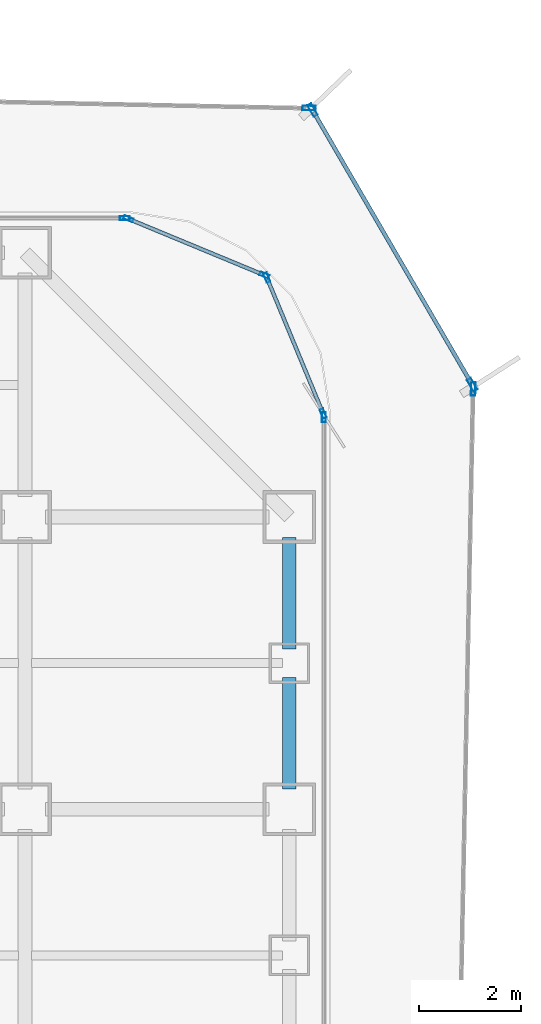
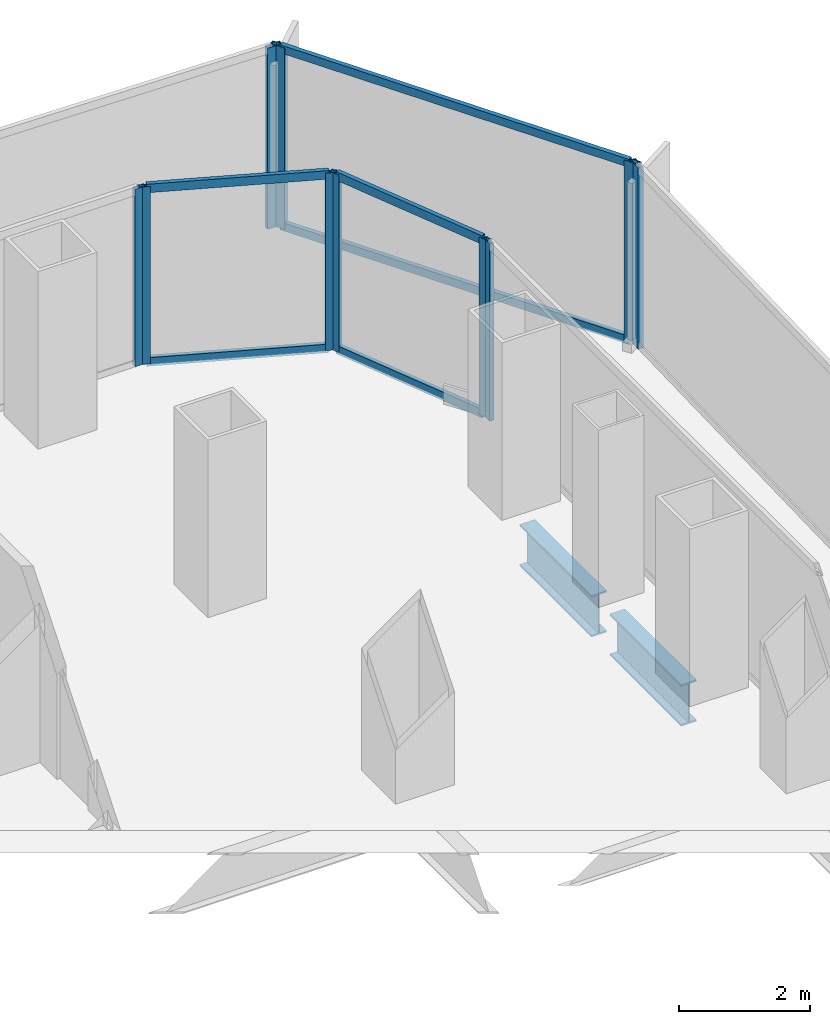
# One storey, part 15 of 21: 16 members, 2 beams, 7 elements without a shape of their own.
"""IFC4 building model written with IfcOpenShell, lengths in metres."""

from ifc_helpers import new_model, si_unit, direction, frame, origin, origin_2d, place, context, subcontext, project, spatial, hollow_rectangle, i_section, extrude, source, transform, mapped, material, layer, layer_set, material_profile, profile_set, type_object, element, aggregate, save


model = new_model("IFC4")

# Units and contexts
model_context = context("Model", 3, precision=1e-05, world=origin(), true_north=direction((0.0, 1.0)))
body_context = subcontext(model_context, "Body", "Model", "MODEL_VIEW")
ifc_project = project(units=[si_unit("LENGTHUNIT", "METRE"), si_unit("AREAUNIT", "SQUARE_METRE"), si_unit("VOLUMEUNIT", "CUBIC_METRE"), si_unit("PLANEANGLEUNIT", "RADIAN"), si_unit("MASSUNIT", "GRAM", prefix="KILO")], contexts=[model_context])

# Site, building, storey
site_placement = place(None, origin())
site = spatial("IfcSite", under=ifc_project, at=site_placement, CompositionType="ELEMENT")
building_placement = place(site_placement, origin())
building = spatial("IfcBuilding", under=site, at=building_placement, Name="Kolveth Station Tower", CompositionType="ELEMENT")
storey_placement = place(building_placement, frame((0.0, 0.0, 44.10009765625)))
storey = spatial("IfcBuildingStorey", under=building, at=storey_placement, Name="L11", CompositionType="ELEMENT", Elevation=44.10009765625)

# Beams
ifc_material_1 = material(Name="Steel S355", Category="steel")
ifc_material_profile_1 = material_profile(ifc_material_1, i_section(OverallWidth=0.26904296875, OverallDepth=0.77490234375, WebThickness=0.01708984375, FlangeThickness=0.0283203125, at=origin_2d()), Name="W760x220")
ifc_profile_set_1 = profile_set([ifc_material_profile_1], Name="Steel S355")
beam_type = type_object("IfcBeamType", Name="Beam_SP1", PredefinedType="SPANDREL", material=ifc_profile_set_1)
shared_shape_1 = source(origin(), body_context, "Body", "SweptSolid", [
    extrude(i_section(OverallWidth=0.26904296875, OverallDepth=0.77490234375, WebThickness=0.01708984375, FlangeThickness=0.0283203125, at=origin_2d()), origin(), (0.0, 0.0, 1.0), 2.2001953125),
])
beam_1_placement = place(storey_placement, frame((46.199951171875, 31.89990234375, -0.66748046875), z_axis=(0.0, 1.0, 0.0), x_axis=(-1.0, 0.0, 0.0)))
element("IfcBeam", 1, at=beam_1_placement, inside=storey, type_object=beam_type, Name="L11 Perimeter Spandrel BM-L11-PE-10", PredefinedType="SPANDREL", context=body_context, shape_type="MappedRepresentation", body=[
    mapped(shared_shape_1, transform((0.0, 0.0, 0.0), x_axis=(1.0, 0.0, 0.0), y_axis=(0.0, 1.0, 0.0), z_axis=(0.0, 0.0, 1.0), scale=1.0)),
])
shared_shape_2 = source(origin(), body_context, "Body", "SweptSolid", [
    extrude(i_section(OverallWidth=0.26904296875, OverallDepth=0.77490234375, WebThickness=0.01708984375, FlangeThickness=0.0283203125, at=origin_2d()), origin(), (0.0, 0.0, 1.0), 2.190185546875),
])
beam_2_placement = place(storey_placement, frame((46.199951171875, 29.14990234375, -0.66748046875), z_axis=(0.0, 1.0, 0.0), x_axis=(-1.0, 0.0, 0.0)))
element("IfcBeam", 2, at=beam_2_placement, inside=storey, type_object=beam_type, Name="L11 Perimeter Spandrel BM-L11-PE-9", PredefinedType="SPANDREL", context=body_context, shape_type="MappedRepresentation", body=[
    mapped(shared_shape_2, transform((0.0, 0.0, 0.0), x_axis=(1.0, 0.0, 0.0), y_axis=(0.0, 1.0, 0.0), z_axis=(0.0, 0.0, 1.0), scale=1.0)),
])

# Curtain wall, members
ifc_material_2 = material(Name="Aluminium 6063-T6 and low-E dark glass", Category="aluminium")
ifc_layer_1 = layer(ifc_material_2, 0.179931640625)
ifc_layer_set_1 = layer_set([ifc_layer_1], Name="Aluminium 6063-T6 and low-E dark glass")
curtain_wall_type_1 = type_object("IfcCurtainWallType", Name="CurtainWall_CW-Z1", PredefinedType="NOTDEFINED", material=ifc_layer_set_1)
curtain_wall_1_placement = place(storey_placement, origin())
curtain_wall_1 = element("IfcCurtainWall", 3, at=curtain_wall_1_placement, inside=storey, type_object=curtain_wall_type_1, Name="L11 Inner Thermal Curtain Wall 4", PredefinedType="NOTDEFINED")
ifc_material_3 = material(Name="Black anodized aluminium 6063-T6", Category="aluminium")
ifc_material_profile_2 = material_profile(ifc_material_3, hollow_rectangle(XDim=0.074951171875, YDim=0.159912109375, WallThickness=0.0048828125, at=origin_2d()), Name="ALU-75x160x5")
ifc_profile_set_2 = profile_set([ifc_material_profile_2], Name="Black anodized aluminium 6063-T6")
member_type_1 = type_object("IfcMemberType", Name="Transom_TR1", PredefinedType="USERDEFINED", material=ifc_profile_set_2)
shared_shape_3 = source(origin(), body_context, "Body", "SweptSolid", [
    extrude(hollow_rectangle(XDim=0.074951171875, YDim=0.159912109375, WallThickness=0.0048828125, at=origin_2d()), origin(), (0.0, 0.0, 1.0), 2.819580078125),
])
member_1_placement = place(storey_placement, frame((46.851318359375, 36.5693359375, 0.037353515625), z_axis=(-0.382708655389, 0.923869084389, 0.0), x_axis=(-0.923869084389, -0.382708655389, 0.0)))
member_1 = element("IfcMember", 4, at=member_1_placement, type_object=member_type_1, Name="CW-Z1 transom 1.1", ObjectType="TRANSOM", PredefinedType="USERDEFINED", context=body_context, shape_type="MappedRepresentation", body=[
    mapped(shared_shape_3, transform((0.0, 0.0, 0.0), x_axis=(1.0, 0.0, 0.0), y_axis=(0.0, 1.0, 0.0), z_axis=(0.0, 0.0, 1.0), scale=1.0)),
])
member_2_placement = place(storey_placement, frame((46.851318359375, 36.5693359375, 3.282470703125), z_axis=(-0.382708655389, 0.923869084389, 0.0), x_axis=(-0.923869084389, -0.382708655389, 0.0)))
member_2 = element("IfcMember", 5, at=member_2_placement, type_object=member_type_1, Name="CW-Z1 transom 1.2", ObjectType="TRANSOM", PredefinedType="USERDEFINED", context=body_context, shape_type="MappedRepresentation", body=[
    mapped(shared_shape_3, transform((0.0, 0.0, 0.0), x_axis=(1.0, 0.0, 0.0), y_axis=(0.0, 1.0, 0.0), z_axis=(0.0, 0.0, 1.0), scale=1.0)),
])

curtain_wall_2_placement = place(storey_placement, origin())
curtain_wall_2 = element("IfcCurtainWall", 6, at=curtain_wall_2_placement, inside=storey, type_object=curtain_wall_type_1, Name="L11 Inner Thermal Curtain Wall 5", PredefinedType="NOTDEFINED")
member_3_placement = place(storey_placement, frame((45.67431640625, 39.272216796875, 0.037353515625), z_axis=(-0.923869084389, 0.382708655389, 0.0), x_axis=(-0.382708655389, -0.923869084389, 0.0)))
member_3 = element("IfcMember", 7, at=member_3_placement, type_object=member_type_1, Name="CW-Z1 transom 1.1", ObjectType="TRANSOM", PredefinedType="USERDEFINED", context=body_context, shape_type="MappedRepresentation", body=[
    mapped(shared_shape_3, transform((0.0, 0.0, 0.0), x_axis=(1.0, 0.0, 0.0), y_axis=(0.0, 1.0, 0.0), z_axis=(0.0, 0.0, 1.0), scale=1.0)),
])
member_4_placement = place(storey_placement, frame((45.67431640625, 39.272216796875, 3.282470703125), z_axis=(-0.923869084389, 0.382708655389, 0.0), x_axis=(-0.382708655389, -0.923869084389, 0.0)))
member_4 = element("IfcMember", 8, at=member_4_placement, type_object=member_type_1, Name="CW-Z1 transom 1.2", ObjectType="TRANSOM", PredefinedType="USERDEFINED", context=body_context, shape_type="MappedRepresentation", body=[
    mapped(shared_shape_3, transform((0.0, 0.0, 0.0), x_axis=(1.0, 0.0, 0.0), y_axis=(0.0, 1.0, 0.0), z_axis=(0.0, 0.0, 1.0), scale=1.0)),
])

# Curtain wall, member
ifc_material_4 = material(Name="Black anodized aluminium 6063-T6 and dark solar glass", Category="aluminium")
ifc_layer_2 = layer(ifc_material_4, 0.159912109375)
ifc_layer_set_2 = layer_set([ifc_layer_2], Name="Black anodized aluminium 6063-T6 and dark solar glass")
curtain_wall_type_2 = type_object("IfcCurtainWallType", Name="OUTER SKIN CW-OS", PredefinedType="NOTDEFINED", material=ifc_layer_set_2)
curtain_wall_3_placement = place(storey_placement, origin())
curtain_wall_3 = element("IfcCurtainWall", 9, at=curtain_wall_3_placement, inside=storey, type_object=curtain_wall_type_2, Name="L11 Outer Ventilated Skin Curtain Wall 2", PredefinedType="NOTDEFINED")
ifc_material_profile_3 = material_profile(ifc_material_3, hollow_rectangle(XDim=0.090087890625, YDim=0.260009765625, WallThickness=0.0048828125, at=origin_2d()), Name="ALU-90x260x5")
ifc_profile_set_3 = profile_set([ifc_material_profile_3], Name="Black anodized aluminium 6063-T6")
member_type_2 = type_object("IfcMemberType", Name="FIN MULLION ML-OS", PredefinedType="MULLION", material=ifc_profile_set_3)
shared_shape_4 = source(origin(), body_context, "Body", "SweptSolid", [
    extrude(hollow_rectangle(XDim=0.090087890625, YDim=0.260009765625, WallThickness=0.0048828125, at=origin_2d()), origin(), (0.0, 0.0, 1.0), 3.389892578125),
])
member_5_placement = place(storey_placement, frame((49.8203125, 37.018798828125, 0.0), z_axis=(0.0, 0.0, 1.0), x_axis=(-0.999800435029, 0.019977239968, 0.0)))
member_5 = element("IfcMember", 10, at=member_5_placement, type_object=member_type_2, Name="CW-OS mullion 2", PredefinedType="MULLION", context=body_context, shape_type="MappedRepresentation", body=[
    mapped(shared_shape_4, transform((0.0, 0.0, 0.0), x_axis=(1.0, 0.0, 0.0), y_axis=(0.0, 1.0, 0.0), z_axis=(0.0, 0.0, 1.0), scale=1.0)),
])
aggregate(curtain_wall_3, [member_5])

# Curtain wall, members
curtain_wall_4_placement = place(storey_placement, origin())
curtain_wall_4 = element("IfcCurtainWall", 11, at=curtain_wall_4_placement, inside=storey, type_object=curtain_wall_type_2, Name="L11 Outer Ventilated Skin Curtain Wall 3", PredefinedType="NOTDEFINED")
member_6_placement = place(storey_placement, frame((49.798583984375, 37.1025390625, 0.0), z_axis=(0.0, 0.0, 1.0), x_axis=(-0.864502724443, -0.50262813235, 0.0)))
member_6 = element("IfcMember", 12, at=member_6_placement, type_object=member_type_2, Name="CW-OS mullion 1", PredefinedType="MULLION", context=body_context, shape_type="MappedRepresentation", body=[
    mapped(shared_shape_4, transform((0.0, 0.0, 0.0), x_axis=(1.0, 0.0, 0.0), y_axis=(0.0, 1.0, 0.0), z_axis=(0.0, 0.0, 1.0), scale=1.0)),
])
member_7_placement = place(storey_placement, frame((46.65673828125, 42.506591796875, 0.0), z_axis=(0.0, 0.0, 1.0), x_axis=(-0.864502724443, -0.50262813235, 0.0)))
member_7 = element("IfcMember", 13, at=member_7_placement, type_object=member_type_2, Name="CW-OS mullion 2", PredefinedType="MULLION", context=body_context, shape_type="MappedRepresentation", body=[
    mapped(shared_shape_4, transform((0.0, 0.0, 0.0), x_axis=(1.0, 0.0, 0.0), y_axis=(0.0, 1.0, 0.0), z_axis=(0.0, 0.0, 1.0), scale=1.0)),
])

# Curtain wall, member
curtain_wall_5_placement = place(storey_placement, origin())
curtain_wall_5 = element("IfcCurtainWall", 14, at=curtain_wall_5_placement, inside=storey, type_object=curtain_wall_type_2, Name="L11 Outer Ventilated Skin Curtain Wall 4", PredefinedType="NOTDEFINED")
member_8_placement = place(storey_placement, frame((46.589111328125, 42.54638671875, 0.0), z_axis=(0.0, 0.0, 1.0), x_axis=(-0.020609842001, -0.999787594648, 0.0)))
member_8 = element("IfcMember", 15, at=member_8_placement, type_object=member_type_2, Name="CW-OS mullion 1", PredefinedType="MULLION", context=body_context, shape_type="MappedRepresentation", body=[
    mapped(shared_shape_4, transform((0.0, 0.0, 0.0), x_axis=(1.0, 0.0, 0.0), y_axis=(0.0, 1.0, 0.0), z_axis=(0.0, 0.0, 1.0), scale=1.0)),
])
aggregate(curtain_wall_5, [member_8])

curtain_wall_6_placement = place(storey_placement, origin())
curtain_wall_6 = element("IfcCurtainWall", 16, at=curtain_wall_6_placement, inside=storey, type_object=curtain_wall_type_1, Name="L11 Inner Thermal Curtain Wall 3", PredefinedType="NOTDEFINED")
ifc_material_profile_4 = material_profile(ifc_material_3, hollow_rectangle(XDim=0.074951171875, YDim=0.18994140625, WallThickness=0.0048828125, at=origin_2d()), Name="ALU-75x190x5")
ifc_profile_set_4 = profile_set([ifc_material_profile_4], Name="Black anodized aluminium 6063-T6")
member_type_3 = type_object("IfcMemberType", Name="Mullion_ML1", PredefinedType="MULLION", material=ifc_profile_set_4)
shared_shape_5 = source(origin(), body_context, "Body", "SweptSolid", [
    extrude(hollow_rectangle(XDim=0.074951171875, YDim=0.18994140625, WallThickness=0.0048828125, at=origin_2d()), origin(), (0.0, 0.0, 1.0), 3.31982421875),
])
member_9_placement = place(storey_placement, frame((46.8798828125, 36.46240234375, 0.0), z_axis=(0.0, 0.0, 1.0), x_axis=(-1.0, 0.0, 0.0)))
member_9 = element("IfcMember", 17, at=member_9_placement, type_object=member_type_3, Name="CW-Z1 mullion 2", PredefinedType="MULLION", context=body_context, shape_type="MappedRepresentation", body=[
    mapped(shared_shape_5, transform((0.0, 0.0, 0.0), x_axis=(1.0, 0.0, 0.0), y_axis=(0.0, 1.0, 0.0), z_axis=(0.0, 0.0, 1.0), scale=1.0)),
])
aggregate(curtain_wall_6, [member_9])

# Member
member_10_placement = place(storey_placement, frame((46.86572265625, 36.53466796875, 0.0), z_axis=(0.0, 0.0, 1.0), x_axis=(-0.923883857728, -0.382672990201, 0.0)))
member_10 = element("IfcMember", 18, at=member_10_placement, type_object=member_type_3, Name="CW-Z1 mullion 1", PredefinedType="MULLION", context=body_context, shape_type="MappedRepresentation", body=[
    mapped(shared_shape_5, transform((0.0, 0.0, 0.0), x_axis=(1.0, 0.0, 0.0), y_axis=(0.0, 1.0, 0.0), z_axis=(0.0, 0.0, 1.0), scale=1.0)),
])

member_11_placement = place(storey_placement, frame((45.758056640625, 39.208984375, 0.0), z_axis=(0.0, 0.0, 1.0), x_axis=(-0.923883857728, -0.382672990201, 0.0)))
member_11 = element("IfcMember", 19, at=member_11_placement, type_object=member_type_3, Name="CW-Z1 mullion 2", PredefinedType="MULLION", context=body_context, shape_type="MappedRepresentation", body=[
    mapped(shared_shape_5, transform((0.0, 0.0, 0.0), x_axis=(1.0, 0.0, 0.0), y_axis=(0.0, 1.0, 0.0), z_axis=(0.0, 0.0, 1.0), scale=1.0)),
])

aggregate(curtain_wall_1, [member_10, member_11, member_1, member_2])

member_12_placement = place(storey_placement, frame((45.708984375, 39.258056640625, 0.0), z_axis=(0.0, 0.0, 1.0), x_axis=(-0.382672990201, -0.923883857728, 0.0)))
member_12 = element("IfcMember", 20, at=member_12_placement, type_object=member_type_3, Name="CW-Z1 mullion 1", PredefinedType="MULLION", context=body_context, shape_type="MappedRepresentation", body=[
    mapped(shared_shape_5, transform((0.0, 0.0, 0.0), x_axis=(1.0, 0.0, 0.0), y_axis=(0.0, 1.0, 0.0), z_axis=(0.0, 0.0, 1.0), scale=1.0)),
])

member_13_placement = place(storey_placement, frame((43.03466796875, 40.36572265625, 0.0), z_axis=(0.0, 0.0, 1.0), x_axis=(-0.382672990201, -0.923883857728, 0.0)))
member_13 = element("IfcMember", 21, at=member_13_placement, type_object=member_type_3, Name="CW-Z1 mullion 2", PredefinedType="MULLION", context=body_context, shape_type="MappedRepresentation", body=[
    mapped(shared_shape_5, transform((0.0, 0.0, 0.0), x_axis=(1.0, 0.0, 0.0), y_axis=(0.0, 1.0, 0.0), z_axis=(0.0, 0.0, 1.0), scale=1.0)),
])

aggregate(curtain_wall_2, [member_12, member_13, member_3, member_4])

# Curtain wall, member
curtain_wall_7_placement = place(storey_placement, origin())
curtain_wall_7 = element("IfcCurtainWall", 22, at=curtain_wall_7_placement, inside=storey, type_object=curtain_wall_type_1, Name="L11 Inner Thermal Curtain Wall 6", PredefinedType="NOTDEFINED")
member_14_placement = place(storey_placement, frame((42.96240234375, 40.3798828125, 0.0), z_axis=(0.0, 0.0, 1.0), x_axis=(0.0, -1.0, 0.0)))
member_14 = element("IfcMember", 23, at=member_14_placement, type_object=member_type_3, Name="CW-Z1 mullion 1", PredefinedType="MULLION", context=body_context, shape_type="MappedRepresentation", body=[
    mapped(shared_shape_5, transform((0.0, 0.0, 0.0), x_axis=(1.0, 0.0, 0.0), y_axis=(0.0, 1.0, 0.0), z_axis=(0.0, 0.0, 1.0), scale=1.0)),
])
aggregate(curtain_wall_7, [member_14])

# Member
ifc_material_profile_5 = material_profile(ifc_material_3, hollow_rectangle(XDim=0.080078125, YDim=0.14990234375, WallThickness=0.0048828125, at=origin_2d()), Name="ALU-80x150x5")
ifc_profile_set_5 = profile_set([ifc_material_profile_5], Name="Black anodized aluminium 6063-T6")
member_type_4 = type_object("IfcMemberType", Name="Transom_TR-OS", PredefinedType="USERDEFINED", material=ifc_profile_set_5)
shared_shape_6 = source(origin(), body_context, "Body", "SweptSolid", [
    extrude(hollow_rectangle(XDim=0.080078125, YDim=0.14990234375, WallThickness=0.0048828125, at=origin_2d()), origin(), (0.0, 0.0, 1.0), 6.16064453125),
])
member_15_placement = place(storey_placement, frame((49.77587890625, 37.1416015625, 0.039794921875), z_axis=(-0.502645941675, 0.864492369728, 0.0), x_axis=(-0.864492369728, -0.502645941675, 0.0)))
member_15 = element("IfcMember", 24, at=member_15_placement, type_object=member_type_4, Name="CW-OS transom 1.1", ObjectType="TRANSOM", PredefinedType="USERDEFINED", context=body_context, shape_type="MappedRepresentation", body=[
    mapped(shared_shape_6, transform((0.0, 0.0, 0.0), x_axis=(1.0, 0.0, 0.0), y_axis=(0.0, 1.0, 0.0), z_axis=(0.0, 0.0, 1.0), scale=1.0)),
])

member_16_placement = place(storey_placement, frame((49.77587890625, 37.1416015625, 3.349853515625), z_axis=(-0.502645941675, 0.864492369728, 0.0), x_axis=(-0.864492369728, -0.502645941675, 0.0)))
member_16 = element("IfcMember", 25, at=member_16_placement, type_object=member_type_4, Name="CW-OS transom 1.2", ObjectType="TRANSOM", PredefinedType="USERDEFINED", context=body_context, shape_type="MappedRepresentation", body=[
    mapped(shared_shape_6, transform((0.0, 0.0, 0.0), x_axis=(1.0, 0.0, 0.0), y_axis=(0.0, 1.0, 0.0), z_axis=(0.0, 0.0, 1.0), scale=1.0)),
])

aggregate(curtain_wall_4, [member_6, member_7, member_15, member_16])

save(model, "model.ifc")
